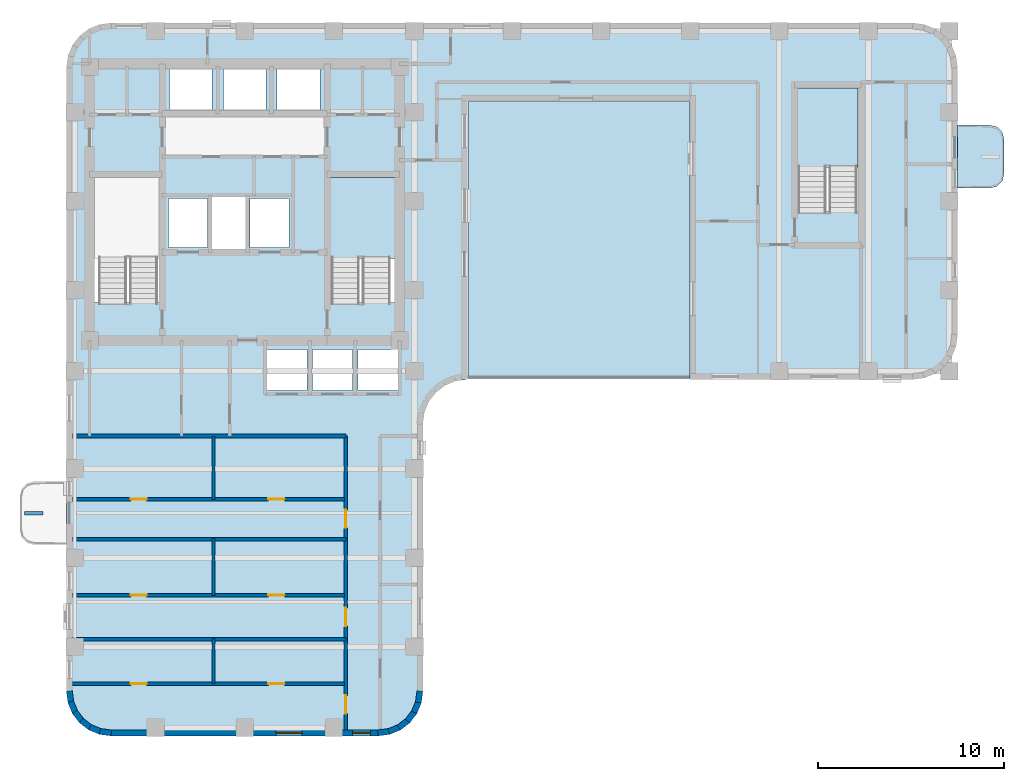
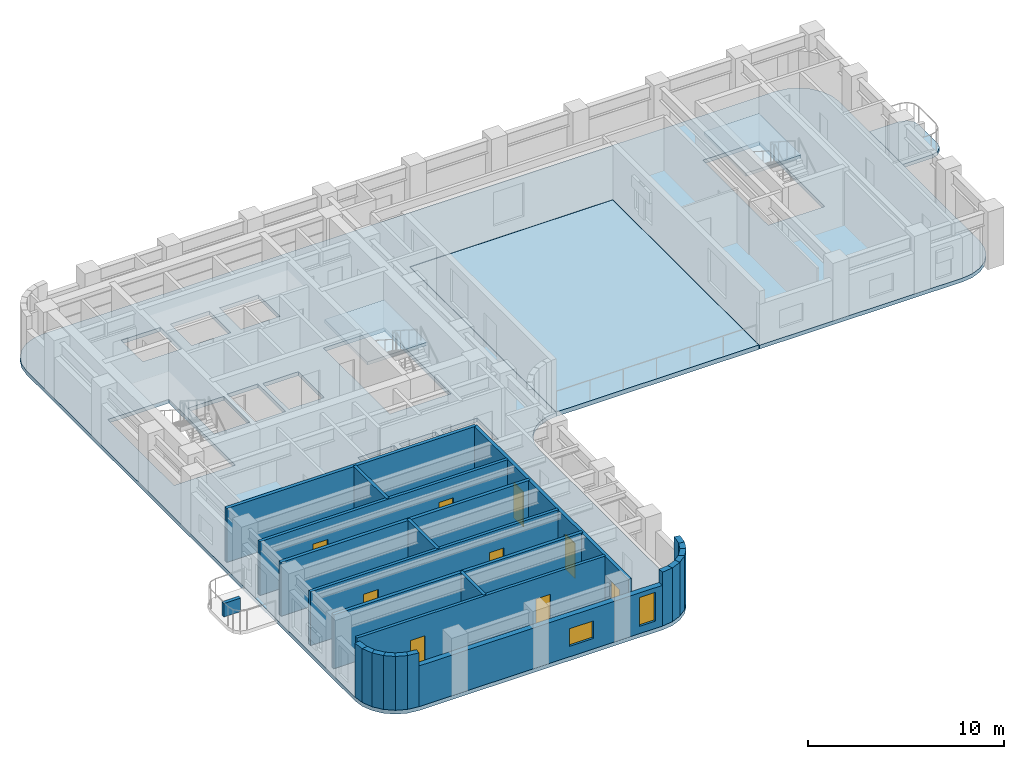
# One storey, part 2 of 9: 24 walls, 9 doors, 5 slabs, 2 windows, 11 openings, 2 elements without a shape of their own.
"""IFC4 building model written with IfcOpenShell, lengths in metres."""

from ifc_helpers import new_model, si_unit, direction, frame, frame_2d, origin, place, context, subcontext, project, spatial, polyline, rectangle, outline, extrude, material, layer, layer_set, type_object, element, fill, aggregate, save


model = new_model("IFC4")

# Units and contexts
model_context = context("Model", 3, precision=1e-05, world=origin(), true_north=direction((0.0, 1.0)))
body_context = subcontext(model_context, "Body", "Model", "MODEL_VIEW")
ifc_project = project(units=[si_unit("LENGTHUNIT", "METRE"), si_unit("AREAUNIT", "SQUARE_METRE"), si_unit("VOLUMEUNIT", "CUBIC_METRE"), si_unit("PLANEANGLEUNIT", "RADIAN"), si_unit("MASSUNIT", "GRAM", prefix="KILO")], contexts=[model_context])

# Site, building, storey
site_placement = place(None, origin())
site = spatial("IfcSite", under=ifc_project, at=site_placement, CompositionType="ELEMENT")
building_placement = place(site_placement, origin())
building = spatial("IfcBuilding", under=site, at=building_placement, Name="Orvandelia Arch Residences", CompositionType="ELEMENT")
storey_placement = place(building_placement, frame((0.0, 0.0, 154.0)))
storey = spatial("IfcBuildingStorey", under=building, at=storey_placement, Name="L40", CompositionType="ELEMENT", Elevation=154.0)

# Slab
ifc_material_1 = material(Name="Precast concrete C40/50", Category="concrete")
ifc_layer_1 = layer(ifc_material_1, 0.219970703125, Name="Precast concrete C40/50", Category="concrete")
ifc_layer_set_1 = layer_set([ifc_layer_1], Name="Precast concrete C40/50")
slab_type_1 = type_object("IfcSlabType", Name="SLB-BAL-220", PredefinedType="USERDEFINED", material=ifc_layer_set_1)
slab_1_placement = place(storey_placement, frame((0.0, 0.0, -0.219970703125)))
element("IfcSlab", 1, at=slab_1_placement, inside=storey, type_object=slab_type_1, Name="Tree Balcony Cantilever Slab BAL-L40-E1", ObjectType="BALCONY", PredefinedType="USERDEFINED", context=body_context, shape_type="SweptSolid", body=[
    extrude(outline(polyline([(52.800048828125, 42.5), (52.800048828125, 39.10009765625), (54.550048828125, 39.10009765625), (54.925048828125, 39.200439453125), (55.199462890625, 39.47509765625), (55.300048828125, 39.85009765625), (55.300048828125, 41.75), (55.199462890625, 42.125), (54.925048828125, 42.3994140625), (54.550048828125, 42.5), (52.800048828125, 42.5)])), origin(), (0.0, 0.0, 1.0), 0.219970703125),
])

# Stair, slab
ifc_material_2 = material(Name="Concrete C40/50", Category="concrete")
stair_type = type_object("IfcStairType", Name="STAIR-RC-DOGLEG", PredefinedType="HALF_TURN_STAIR", material=ifc_material_2)
stair_1_placement = place(storey_placement, origin())
stair_1 = element("IfcStair", 2, at=stair_1_placement, inside=storey, type_object=stair_type, Name="L40 Protected Exit Stair ST-2", PredefinedType="HALF_TURN_STAIR")
ifc_layer_2 = layer(ifc_material_2, 0.219970703125, Name="Concrete C40/50", Category="concrete")
ifc_layer_set_2 = layer_set([ifc_layer_2], Name="Concrete C40/50")
slab_type_2 = type_object("IfcSlabType", Name="SLB-LANDING-220", PredefinedType="LANDING", material=ifc_layer_set_2)
slab_2_placement = place(storey_placement, frame((0.0, 0.0, 1.60009765625)))
slab_2 = element("IfcSlab", 3, at=slab_2_placement, type_object=slab_type_2, Name="ST-2 landing 1", PredefinedType="LANDING", context=body_context, shape_type="SweptSolid", body=[
    extrude(outline(polyline([(22.5400390625, 35.31005859375), (22.5400390625, 39.68994140625), (19.0, 39.68994140625), (19.0, 35.31005859375), (22.5400390625, 35.31005859375)])), origin(), (0.0, 0.0, 1.0), 0.199951171875),
])
aggregate(stair_1, [slab_2])

stair_2_placement = place(storey_placement, origin())
stair_2 = element("IfcStair", 4, at=stair_2_placement, inside=storey, type_object=stair_type, Name="L40 East Wing Exit Stair ST-3", PredefinedType="HALF_TURN_STAIR")
slab_3_placement = place(storey_placement, frame((0.0, 0.0, 1.60009765625)))
slab_3 = element("IfcSlab", 5, at=slab_3_placement, type_object=slab_type_2, Name="ST-3 landing 1", PredefinedType="LANDING", context=body_context, shape_type="SweptSolid", body=[
    extrude(outline(polyline([(47.43994140625, 40.2099609375), (47.43994140625, 44.5), (44.179931640625, 44.5), (44.179931640625, 40.2099609375), (47.43994140625, 40.2099609375)])), origin(), (0.0, 0.0, 1.0), 0.199951171875),
])
aggregate(stair_2, [slab_3])

# Slabs
ifc_layer_3 = layer(ifc_material_2, 0.280029296875, Name="Concrete C40/50", Category="concrete")
ifc_layer_set_3 = layer_set([ifc_layer_3], Name="Concrete C40/50")
slab_type_3 = type_object("IfcSlabType", Name="SLB-TERR-280", PredefinedType="ROOF", material=ifc_layer_set_3)
slab_4_placement = place(storey_placement, frame((0.0, 0.0, -0.280029296875)))
element("IfcSlab", 6, at=slab_4_placement, inside=storey, type_object=slab_type_3, Name="Planted Sky Terrace Slab TERR-L40-PORTAL", PredefinedType="ROOF", context=body_context, shape_type="SweptSolid", body=[
    extrude(outline(polyline([(26.419921875, 28.840087890625), (38.3798828125, 28.840087890625), (38.3798828125, 43.780029296875), (26.419921875, 43.780029296875), (26.419921875, 28.840087890625)])), origin(), (0.0, 0.0, 1.0), 0.280029296875),
])
ifc_layer_4 = layer(ifc_material_2, 0.239990234375, Name="Concrete C40/50", Category="concrete")
ifc_layer_set_4 = layer_set([ifc_layer_4], Name="Concrete C40/50")
slab_type_4 = type_object("IfcSlabType", Name="SLB-TWR-240", PredefinedType="FLOOR", material=ifc_layer_set_4)
slab_5_placement = place(storey_placement, frame((0.0, 0.0, -0.239990234375)))
element("IfcSlab", 7, at=slab_5_placement, inside=storey, type_object=slab_type_4, Name="Structural Floor Slab L40-1", PredefinedType="FLOOR", context=body_context, shape_type="SweptSolid", body=[
    extrude(outline(polyline([(4.800048828125, 12.0), (4.8818359375, 11.37890625), (5.12158203125, 10.800048828125), (5.5029296875, 10.302978515625), (6.0, 9.92138671875), (6.578857421875, 9.681884765625), (7.199951171875, 9.60009765625), (21.60009765625, 9.60009765625), (22.22119140625, 9.681884765625), (22.800048828125, 9.92138671875), (23.297119140625, 10.302978515625), (23.678466796875, 10.800048828125), (23.918212890625, 11.37890625), (24.0, 12.0), (24.0, 26.39990234375), (24.081787109375, 27.021240234375), (24.321533203125, 27.60009765625), (24.702880859375, 28.09716796875), (25.199951171875, 28.478515625), (25.77880859375, 28.71826171875), (26.39990234375, 28.800048828125), (26.39990234375, 43.800048828125), (38.39990234375, 43.800048828125), (38.39990234375, 28.800048828125), (50.39990234375, 28.800048828125), (51.021240234375, 28.8818359375), (51.60009765625, 29.12158203125), (52.09716796875, 29.5029296875), (52.478515625, 30.0), (52.71826171875, 30.578857421875), (52.800048828125, 31.199951171875), (52.800048828125, 45.60009765625), (52.71826171875, 46.22119140625), (52.478515625, 46.800048828125), (52.09716796875, 47.297119140625), (51.60009765625, 47.678466796875), (51.021240234375, 47.918212890625), (50.39990234375, 48.0), (7.199951171875, 48.0), (6.578857421875, 47.918212890625), (6.0, 47.678466796875), (5.5029296875, 47.297119140625), (5.12158203125, 46.800048828125), (4.8818359375, 46.22119140625), (4.800048828125, 45.60009765625), (4.800048828125, 12.0)]), holes=[polyline([(6.219970703125, 32.949951171875), (9.840087890625, 32.949951171875), (9.840087890625, 39.72998046875), (6.219970703125, 39.72998046875), (6.219970703125, 32.949951171875)]), polyline([(18.9599609375, 32.949951171875), (22.580078125, 32.949951171875), (22.580078125, 39.72998046875), (18.9599609375, 39.72998046875), (18.9599609375, 32.949951171875)]), polyline([(44.139892578125, 37.85009765625), (47.47998046875, 37.85009765625), (47.47998046875, 44.5400390625), (44.139892578125, 44.5400390625), (44.139892578125, 37.85009765625)]), polyline([(12.639892578125, 35.81005859375), (14.4599609375, 35.81005859375), (14.4599609375, 38.639892578125), (12.639892578125, 38.639892578125), (12.639892578125, 35.81005859375)]), polyline([(10.300048828125, 35.89990234375), (12.39990234375, 35.89990234375), (12.39990234375, 38.550048828125), (10.300048828125, 38.550048828125), (10.300048828125, 35.89990234375)]), polyline([(14.699951171875, 35.89990234375), (16.800048828125, 35.89990234375), (16.800048828125, 38.550048828125), (14.699951171875, 38.550048828125), (14.699951171875, 35.89990234375)]), polyline([(10.35009765625, 43.300048828125), (12.64990234375, 43.300048828125), (12.64990234375, 45.5), (10.35009765625, 45.5), (10.35009765625, 43.300048828125)]), polyline([(13.25, 43.300048828125), (15.550048828125, 43.300048828125), (15.550048828125, 45.5), (13.25, 45.5), (13.25, 43.300048828125)]), polyline([(16.14990234375, 43.300048828125), (18.449951171875, 43.300048828125), (18.449951171875, 45.5), (16.14990234375, 45.5), (16.14990234375, 43.300048828125)]), polyline([(15.60009765625, 28.199951171875), (17.75, 28.199951171875), (17.75, 30.39990234375), (15.60009765625, 30.39990234375), (15.60009765625, 28.199951171875)]), polyline([(18.050048828125, 28.199951171875), (20.199951171875, 28.199951171875), (20.199951171875, 30.39990234375), (18.050048828125, 30.39990234375), (18.050048828125, 28.199951171875)]), polyline([(20.5, 28.199951171875), (22.64990234375, 28.199951171875), (22.64990234375, 30.39990234375), (20.5, 30.39990234375), (20.5, 28.199951171875)])]), origin(), (0.0, 0.0, 1.0), 0.239990234375),
])

# Wall, openings, doors
ifc_material_3 = material(Name="Fire-Rated Corridor Partition")
ifc_layer_5 = layer(ifc_material_3, 0.199951171875, Name="Fire-Rated Corridor Partition")
ifc_layer_set_5 = layer_set([ifc_layer_5], Name="Fire-Rated Corridor Partition")
wall_type_1 = type_object("IfcWallType", Name="WL-CORR-200", PredefinedType="PARTITIONING", material=ifc_layer_set_5)
wall_1_placement = place(storey_placement, frame((19.85009765625, 9.919921875, 0.0), z_axis=(0.0, 0.0, 1.0), x_axis=(0.0, 1.0, 0.0)))
wall_1 = element("IfcWall", 8, at=wall_1_placement, inside=storey, type_object=wall_type_1, Name="Interior Partition Wall WL-L40-WC-W", PredefinedType="PARTITIONING", context=body_context, shape_type="SweptSolid", body=[
    extrude(rectangle(XDim=15.830078125, YDim=0.199951171875, at=frame_2d((7.9150390625, 0.0))), origin(), (0.0, 0.0, 1.0), 3.360107421875),
])
opening_1_placement = place(wall_1_placement, frame((0.885009765625, 0.0, 0.0)))
opening_1 = element("IfcOpeningElement", 9, at=opening_1_placement, cuts=wall_1, Name="Opening D1", PredefinedType="OPENING", context=body_context, shape_type="SweptSolid", body=[
    extrude(rectangle(XDim=0.97998046875, YDim=2.179931640625, at=frame_2d((0.489990234375, 1.08984375))), frame((0.0, 0.10986328125, 0.0), z_axis=(0.0, -1.0, 0.0), x_axis=(1.0, 0.0, 0.0)), (0.0, 0.0, 1.0), 0.219970703125),
])
opening_2_placement = place(wall_1_placement, frame((5.597900390625, 0.0, 0.0)))
opening_2 = element("IfcOpeningElement", 10, at=opening_2_placement, cuts=wall_1, Name="Opening D1", PredefinedType="OPENING", context=body_context, shape_type="SweptSolid", body=[
    extrude(rectangle(XDim=0.97998046875, YDim=2.179931640625, at=frame_2d((0.489990234375, 1.08984375))), frame((0.0, 0.10986328125, 0.0), z_axis=(0.0, -1.0, 0.0), x_axis=(1.0, 0.0, 0.0)), (0.0, 0.0, 1.0), 0.219970703125),
])
opening_3_placement = place(wall_1_placement, frame((10.8798828125, 0.0, 0.0)))
opening_3 = element("IfcOpeningElement", 11, at=opening_3_placement, cuts=wall_1, Name="Opening D1", PredefinedType="OPENING", context=body_context, shape_type="SweptSolid", body=[
    extrude(rectangle(XDim=0.97998046875, YDim=2.179931640625, at=frame_2d((0.489990234375, 1.08984375))), frame((0.0, 0.10986328125, 0.0), z_axis=(0.0, -1.0, 0.0), x_axis=(1.0, 0.0, 0.0)), (0.0, 0.0, 1.0), 0.219970703125),
])
ifc_material_4 = material(Name="Solid-Core Timber Acoustic Fire Door", Category="wood")
door_type_1 = type_object("IfcDoorType", Name="DR-ENT-980", OperationType="NOTDEFINED", PredefinedType="DOOR", material=ifc_material_4)
door_1_placement = place(opening_1_placement, origin())
door_1 = element("IfcDoor", 12, at=door_1_placement, inside=storey, type_object=door_type_1, Name="Unit L40-01 Entrance Door", OperationType="SINGLE_SWING_LEFT", OverallHeight=2.179931640625, OverallWidth=0.97998046875, PredefinedType="DOOR", context=body_context, shape_type="SweptSolid", body=[
    extrude(rectangle(XDim=0.97998046875, YDim=2.179931640625, at=frame_2d((0.489990234375, 1.08984375))), frame((0.0, 0.02490234375, 0.0), z_axis=(0.0, -1.0, 0.0), x_axis=(1.0, 0.0, 0.0)), (0.0, 0.0, 1.0), 0.050048828125),
])
fill(opening_1, door_1)
door_2_placement = place(opening_2_placement, origin())
door_2 = element("IfcDoor", 13, at=door_2_placement, inside=storey, type_object=door_type_1, Name="Unit L40-02 Entrance Door", OperationType="SINGLE_SWING_RIGHT", OverallHeight=2.179931640625, OverallWidth=0.97998046875, PredefinedType="DOOR", context=body_context, shape_type="SweptSolid", body=[
    extrude(rectangle(XDim=0.97998046875, YDim=2.179931640625, at=frame_2d((0.489990234375, 1.08984375))), frame((0.0, 0.02490234375, 0.0), z_axis=(0.0, -1.0, 0.0), x_axis=(1.0, 0.0, 0.0)), (0.0, 0.0, 1.0), 0.050048828125),
])
fill(opening_2, door_2)
door_3_placement = place(opening_3_placement, origin())
door_3 = element("IfcDoor", 14, at=door_3_placement, inside=storey, type_object=door_type_1, Name="Unit L40-03 Entrance Door", OperationType="SINGLE_SWING_LEFT", OverallHeight=2.179931640625, OverallWidth=0.97998046875, PredefinedType="DOOR", context=body_context, shape_type="SweptSolid", body=[
    extrude(rectangle(XDim=0.97998046875, YDim=2.179931640625, at=frame_2d((0.489990234375, 1.08984375))), frame((0.0, 0.02490234375, 0.0), z_axis=(0.0, -1.0, 0.0), x_axis=(1.0, 0.0, 0.0)), (0.0, 0.0, 1.0), 0.050048828125),
])
fill(opening_3, door_3)

# Walls
wall_2_placement = place(storey_placement, frame((5.1201171875, 25.75, 0.0), z_axis=(0.0, 0.0, 1.0), x_axis=(1.0, 0.0, 0.0)))
element("IfcWall", 15, at=wall_2_placement, inside=storey, type_object=wall_type_1, Name="Interior Partition Wall WL-L40-WCLS-W", PredefinedType="PARTITIONING", context=body_context, shape_type="SweptSolid", body=[
    extrude(rectangle(XDim=14.72998046875, YDim=0.199951171875, at=frame_2d((7.364990234375, 0.0))), origin(), (0.0, 0.0, 1.0), 3.360107421875),
])
ifc_layer_6 = layer(ifc_material_2, 0.199951171875, Name="Concrete C40/50", Category="concrete")
ifc_layer_set_6 = layer_set([ifc_layer_6], Name="Concrete C40/50")
wall_type_2 = type_object("IfcWallType", Name="WL-DEM-200", PredefinedType="SOLIDWALL", material=ifc_layer_set_6)
for number, where, z_axis, x_axis, name in (
    (16, (5.1201171875, 14.800048828125, 0.0), (0.0, 0.0, 1.0), (1.0, 0.0, 0.0), "Interior Partition Wall WL-L40-DEM-WL-148"),
    (17, (5.1201171875, 20.199951171875, 0.0), (0.0, 0.0, 1.0), (1.0, 0.0, 0.0), "Interior Partition Wall WL-L40-DEM-WL-202"),
):
    element("IfcWall", number, at=place(storey_placement, frame(where, z_axis=z_axis, x_axis=x_axis)), inside=storey, type_object=wall_type_2, Name=name, PredefinedType="SOLIDWALL", context=body_context, shape_type="SweptSolid", body=[
        extrude(rectangle(XDim=14.72998046875, YDim=0.199951171875, at=frame_2d((7.364990234375, 0.0))), origin(), (0.0, 0.0, 1.0), 3.360107421875),
    ])
ifc_layer_7 = layer(ifc_material_1, 0.320068359375, Name="Precast concrete C40/50", Category="concrete")
ifc_layer_set_7 = layer_set([ifc_layer_7], Name="Precast concrete C40/50")
wall_type_3 = type_object("IfcWallType", Name="WL-EXT-STONE-320", PredefinedType="STANDARD", material=ifc_layer_set_7)
wall_3_placement = place(storey_placement, frame((23.84130859375, 12.02099609375, 0.0), z_axis=(0.0, 0.0, 1.0), x_axis=(-0.130504898859, -0.991447664465, 0.0)))
element("IfcWall", 18, at=wall_3_placement, inside=storey, type_object=wall_type_3, Name="Coral-Limestone Precast Facade Wall L40-032", PredefinedType="STANDARD", context=body_context, shape_type="SweptSolid", body=[
    extrude(rectangle(XDim=0.626708984375, YDim=0.320068359375, at=frame_2d((0.3134765625, 0.0))), origin(), (0.0, 0.0, 1.0), 3.360107421875),
])
for number, where, z_axis, x_axis, name in (
    (19, (23.7705078125, 11.43994140625, 0.0), (0.0, 0.0, 1.0), (-0.382650053678, -0.92389335771, 0.0), "Coral-Limestone Precast Facade Wall L40-033"),
    (20, (23.551513671875, 10.8974609375, 0.0), (0.0, 0.0, 1.0), (-0.608693302629, -0.793405610854, 0.0), "Coral-Limestone Precast Facade Wall L40-034"),
    (21, (23.19970703125, 10.4296875, 0.0), (0.0, 0.0, 1.0), (-0.793405610854, -0.608693302629, 0.0), "Coral-Limestone Precast Facade Wall L40-035"),
    (22, (22.73876953125, 10.0693359375, 0.0), (0.0, 0.0, 1.0), (-0.92389335771, -0.382650053678, 0.0), "Coral-Limestone Precast Facade Wall L40-036"),
    (23, (22.2001953125, 9.84033203125, 0.0), (0.0, 0.0, 1.0), (-0.9914410257, -0.130555323746, 0.0), "Coral-Limestone Precast Facade Wall L40-037"),
):
    element("IfcWall", number, at=place(storey_placement, frame(where, z_axis=z_axis, x_axis=x_axis)), inside=storey, type_object=wall_type_3, Name=name, PredefinedType="STANDARD", context=body_context, shape_type="SweptSolid", body=[
        extrude(rectangle(XDim=0.62646484375, YDim=0.320068359375, at=frame_2d((0.313232421875, 0.0))), origin(), (0.0, 0.0, 1.0), 3.360107421875),
    ])

# Wall, openings, windows
wall_4_placement = place(storey_placement, frame((21.60009765625, 9.760009765625, 0.0), z_axis=(0.0, 0.0, 1.0), x_axis=(-1.0, 0.0, 0.0)))
wall_4 = element("IfcWall", 24, at=wall_4_placement, inside=storey, type_object=wall_type_3, Name="Coral-Limestone Precast Facade Wall L40-038", PredefinedType="STANDARD", context=body_context, shape_type="SweptSolid", body=[
    extrude(rectangle(XDim=14.400146484375, YDim=0.320068359375, at=frame_2d((7.2001953125, 0.0))), origin(), (0.0, 0.0, 1.0), 2.5400390625),
])
opening_4_placement = place(wall_4_placement, frame((4.10009765625, 0.0, 0.64990234375)))
opening_4 = element("IfcOpeningElement", 25, at=opening_4_placement, cuts=wall_4, Name="Opening W10", PredefinedType="OPENING", context=body_context, shape_type="SweptSolid", body=[
    extrude(rectangle(XDim=1.39990234375, YDim=1.10009765625, at=frame_2d((0.699951171875, 0.550048828125))), frame((0.0, 0.169921875, 0.0), z_axis=(0.0, -1.0, 0.0), x_axis=(1.0, 0.0, 0.0)), (0.0, 0.0, 1.0), 0.340087890625),
])
opening_5_placement = place(wall_4_placement, frame((0.429931640625, 0.0, 0.449951171875)))
opening_5 = element("IfcOpeningElement", 26, at=opening_5_placement, cuts=wall_4, Name="Opening W4", PredefinedType="OPENING", context=body_context, shape_type="SweptSolid", body=[
    extrude(rectangle(XDim=0.949951171875, YDim=1.800048828125, at=frame_2d((0.47509765625, 0.89990234375))), frame((0.0, 0.169921875, 0.0), z_axis=(0.0, -1.0, 0.0), x_axis=(1.0, 0.0, 0.0)), (0.0, 0.0, 1.0), 0.340087890625),
])
ifc_material_5 = material(Name="Tempered Low-E Insulated Glazing", Category="glass")
window_type_1 = type_object("IfcWindowType", Name="WIN-CLR-1400x1100", PartitioningType="SINGLE_PANEL", PredefinedType="WINDOW", material=ifc_material_5)
window_1_placement = place(opening_4_placement, origin())
window_1 = element("IfcWindow", 27, at=window_1_placement, inside=storey, type_object=window_type_1, Name="Recessed Punched Window L40-016", OverallHeight=1.10009765625, OverallWidth=1.39990234375, PartitioningType="SINGLE_PANEL", PredefinedType="WINDOW", context=body_context, shape_type="SweptSolid", body=[
    extrude(rectangle(XDim=1.39990234375, YDim=1.10009765625, at=frame_2d((0.699951171875, 0.550048828125))), frame((0.0, 0.030029296875, 0.0), z_axis=(0.0, -1.0, 0.0), x_axis=(1.0, 0.0, 0.0)), (0.0, 0.0, 1.0), 0.06005859375),
])
fill(opening_4, window_1)
window_type_2 = type_object("IfcWindowType", Name="WIN-RES-0950x1800", PartitioningType="SINGLE_PANEL", PredefinedType="WINDOW", material=ifc_material_5)
window_2_placement = place(opening_5_placement, origin())
window_2 = element("IfcWindow", 28, at=window_2_placement, inside=storey, type_object=window_type_2, Name="Recessed Punched Window L40-017", OverallHeight=1.800048828125, OverallWidth=0.949951171875, PartitioningType="SINGLE_PANEL", PredefinedType="WINDOW", context=body_context, shape_type="SweptSolid", body=[
    extrude(rectangle(XDim=0.949951171875, YDim=1.800048828125, at=frame_2d((0.47509765625, 0.89990234375))), frame((0.0, 0.030029296875, 0.0), z_axis=(0.0, -1.0, 0.0), x_axis=(1.0, 0.0, 0.0)), (0.0, 0.0, 1.0), 0.06005859375),
])
fill(opening_5, window_2)

# Walls
wall_5_placement = place(storey_placement, frame((7.220947265625, 9.758544921875, 0.0), z_axis=(0.0, 0.0, 1.0), x_axis=(-0.991447664465, 0.130504898859, 0.0)))
element("IfcWall", 29, at=wall_5_placement, inside=storey, type_object=wall_type_3, Name="Coral-Limestone Precast Facade Wall L40-039", PredefinedType="STANDARD", context=body_context, shape_type="SweptSolid", body=[
    extrude(rectangle(XDim=0.626708984375, YDim=0.320068359375, at=frame_2d((0.3134765625, 0.0))), origin(), (0.0, 0.0, 1.0), 3.360107421875),
])
wall_6_placement = place(storey_placement, frame((6.639892578125, 9.82958984375, 0.0), z_axis=(0.0, 0.0, 1.0), x_axis=(-0.923836271867, 0.382787856107, 0.0)))
element("IfcWall", 30, at=wall_6_placement, inside=storey, type_object=wall_type_3, Name="Coral-Limestone Precast Facade Wall L40-040", PredefinedType="STANDARD", context=body_context, shape_type="SweptSolid", body=[
    extrude(rectangle(XDim=0.626220703125, YDim=0.320068359375, at=frame_2d((0.31298828125, 0.0))), origin(), (0.0, 0.0, 1.0), 3.360107421875),
])
wall_7_placement = place(storey_placement, frame((6.097412109375, 10.04833984375, 0.0), z_axis=(0.0, 0.0, 1.0), x_axis=(-0.793405610854, 0.608693302629, 0.0)))
element("IfcWall", 31, at=wall_7_placement, inside=storey, type_object=wall_type_3, Name="Coral-Limestone Precast Facade Wall L40-041", PredefinedType="STANDARD", context=body_context, shape_type="SweptSolid", body=[
    extrude(rectangle(XDim=0.62646484375, YDim=0.320068359375, at=frame_2d((0.313232421875, 0.0))), origin(), (0.0, 0.0, 1.0), 3.360107421875),
])
wall_8_placement = place(storey_placement, frame((5.6298828125, 10.400390625, 0.0), z_axis=(0.0, 0.0, 1.0), x_axis=(-0.608938521285, 0.7932174212, 0.0)))
element("IfcWall", 32, at=wall_8_placement, inside=storey, type_object=wall_type_3, Name="Coral-Limestone Precast Facade Wall L40-042", PredefinedType="STANDARD", context=body_context, shape_type="SweptSolid", body=[
    extrude(rectangle(XDim=0.626708984375, YDim=0.320068359375, at=frame_2d((0.3134765625, 0.0))), origin(), (0.0, 0.0, 1.0), 3.360107421875),
])
wall_9_placement = place(storey_placement, frame((5.269287109375, 10.861083984375, 0.0), z_axis=(0.0, 0.0, 1.0), x_axis=(-0.382650053678, 0.92389335771, 0.0)))
element("IfcWall", 33, at=wall_9_placement, inside=storey, type_object=wall_type_3, Name="Coral-Limestone Precast Facade Wall L40-043", PredefinedType="STANDARD", context=body_context, shape_type="SweptSolid", body=[
    extrude(rectangle(XDim=0.62646484375, YDim=0.320068359375, at=frame_2d((0.313232421875, 0.0))), origin(), (0.0, 0.0, 1.0), 3.360107421875),
])
wall_10_placement = place(storey_placement, frame((5.040283203125, 11.399658203125, 0.0), z_axis=(0.0, 0.0, 1.0), x_axis=(-0.130504898859, 0.991447664465, 0.0)))
element("IfcWall", 34, at=wall_10_placement, inside=storey, type_object=wall_type_3, Name="Coral-Limestone Precast Facade Wall L40-044", PredefinedType="STANDARD", context=body_context, shape_type="SweptSolid", body=[
    extrude(rectangle(XDim=0.626708984375, YDim=0.320068359375, at=frame_2d((0.3134765625, 0.0))), origin(), (0.0, 0.0, 1.0), 3.360107421875),
])
ifc_layer_8 = layer(ifc_material_1, 0.199951171875, Name="Precast concrete C40/50", Category="concrete")
ifc_layer_set_8 = layer_set([ifc_layer_8], Name="Precast concrete C40/50")
wall_type_4 = type_object("IfcWallType", Name="WL-PLANTER-200", PredefinedType="MOVABLE", material=ifc_layer_set_8)
wall_11_placement = place(storey_placement, frame((2.550048828125, 21.60009765625, 0.0), z_axis=(0.0, 0.0, 1.0), x_axis=(1.0, 0.0, 0.0)))
element("IfcWall", 35, at=wall_11_placement, inside=storey, type_object=wall_type_4, Name="Balcony Precast Tree Planter BAL-L40-W1", PredefinedType="MOVABLE", context=body_context, shape_type="SweptSolid", body=[
    extrude(rectangle(XDim=1.0, YDim=0.199951171875, at=frame_2d((0.5, 0.0))), origin(), (0.0, 0.0, 1.0), 0.85009765625),
])

# Wall, openings, doors
ifc_material_6 = material(Name="Moisture-Resistant Plumbing Wall")
ifc_layer_9 = layer(ifc_material_6, 0.179931640625, Name="Moisture-Resistant Plumbing Wall")
ifc_layer_set_9 = layer_set([ifc_layer_9], Name="Moisture-Resistant Plumbing Wall")
wall_type_5 = type_object("IfcWallType", Name="WL-WET-180", PredefinedType="PLUMBINGWALL", material=ifc_layer_set_9)
wall_12_placement = place(storey_placement, frame((5.1201171875, 12.409912109375, 0.0), z_axis=(0.0, 0.0, 1.0), x_axis=(1.0, 0.0, 0.0)))
wall_12 = element("IfcWall", 36, at=wall_12_placement, inside=storey, type_object=wall_type_5, Name="Interior Partition Wall WL-L40-U01-HZ", PredefinedType="PLUMBINGWALL", context=body_context, shape_type="SweptSolid", body=[
    extrude(rectangle(XDim=14.669921875, YDim=0.179931640625, at=frame_2d((7.3349609375, 0.0))), origin(), (0.0, 0.0, 1.0), 3.360107421875),
])
opening_6_placement = place(wall_12_placement, frame((3.14501953125, 0.0, 0.0)))
opening_6 = element("IfcOpeningElement", 37, at=opening_6_placement, cuts=wall_12, Name="Opening D4", PredefinedType="OPENING", context=body_context, shape_type="SweptSolid", body=[
    extrude(rectangle(XDim=0.860107421875, YDim=2.10009765625, at=frame_2d((0.43017578125, 1.050048828125))), frame((0.0, 0.10009765625, 0.0), z_axis=(0.0, -1.0, 0.0), x_axis=(1.0, 0.0, 0.0)), (0.0, 0.0, 1.0), 0.199951171875),
])
opening_7_placement = place(wall_12_placement, frame((10.56005859375, 0.0, 0.0)))
opening_7 = element("IfcOpeningElement", 38, at=opening_7_placement, cuts=wall_12, Name="Opening D4", PredefinedType="OPENING", context=body_context, shape_type="SweptSolid", body=[
    extrude(rectangle(XDim=0.860107421875, YDim=2.10009765625, at=frame_2d((0.43017578125, 1.050048828125))), frame((0.0, 0.10009765625, 0.0), z_axis=(0.0, -1.0, 0.0), x_axis=(1.0, 0.0, 0.0)), (0.0, 0.0, 1.0), 0.199951171875),
])
ifc_material_7 = material(Name="Moisture-Sealed Timber Bathroom Door", Category="wood")
door_type_2 = type_object("IfcDoorType", Name="DR-WET-900", OperationType="NOTDEFINED", PredefinedType="DOOR", material=ifc_material_7)
door_4_placement = place(opening_6_placement, origin())
door_4 = element("IfcDoor", 39, at=door_4_placement, inside=storey, type_object=door_type_2, Name="DR-L40-U01-KIT", OperationType="SINGLE_SWING_LEFT", OverallHeight=2.10009765625, OverallWidth=0.860107421875, PredefinedType="DOOR", context=body_context, shape_type="SweptSolid", body=[
    extrude(rectangle(XDim=0.860107421875, YDim=2.10009765625, at=frame_2d((0.43017578125, 1.050048828125))), frame((0.0, 0.02490234375, 0.0), z_axis=(0.0, -1.0, 0.0), x_axis=(1.0, 0.0, 0.0)), (0.0, 0.0, 1.0), 0.050048828125),
])
fill(opening_6, door_4)
door_5_placement = place(opening_7_placement, origin())
door_5 = element("IfcDoor", 40, at=door_5_placement, inside=storey, type_object=door_type_2, Name="DR-L40-U01-BTH", OperationType="SINGLE_SWING_RIGHT", OverallHeight=2.10009765625, OverallWidth=0.860107421875, PredefinedType="DOOR", context=body_context, shape_type="SweptSolid", body=[
    extrude(rectangle(XDim=0.860107421875, YDim=2.10009765625, at=frame_2d((0.43017578125, 1.050048828125))), frame((0.0, 0.02490234375, 0.0), z_axis=(0.0, -1.0, 0.0), x_axis=(1.0, 0.0, 0.0)), (0.0, 0.0, 1.0), 0.050048828125),
])
fill(opening_7, door_5)

# Wall
wall_13_placement = place(storey_placement, frame((12.719970703125, 12.409912109375, 0.0), z_axis=(0.0, 0.0, 1.0), x_axis=(0.0, 1.0, 0.0)))
element("IfcWall", 41, at=wall_13_placement, inside=storey, type_object=wall_type_5, Name="Interior Partition Wall WL-L40-U01-V1", PredefinedType="PLUMBINGWALL", context=body_context, shape_type="SweptSolid", body=[
    extrude(rectangle(XDim=2.43017578125, YDim=0.179931640625, at=frame_2d((1.215087890625, 0.0))), origin(), (0.0, 0.0, 1.0), 3.360107421875),
])

# Wall, openings, doors
wall_14_placement = place(storey_placement, frame((5.1201171875, 17.176025390625, 0.0), z_axis=(0.0, 0.0, 1.0), x_axis=(1.0, 0.0, 0.0)))
wall_14 = element("IfcWall", 42, at=wall_14_placement, inside=storey, type_object=wall_type_5, Name="Interior Partition Wall WL-L40-U02-HZ", PredefinedType="PLUMBINGWALL", context=body_context, shape_type="SweptSolid", body=[
    extrude(rectangle(XDim=14.669921875, YDim=0.179931640625, at=frame_2d((7.3349609375, 0.0))), origin(), (0.0, 0.0, 1.0), 3.360107421875),
])
opening_8_placement = place(wall_14_placement, frame((3.14501953125, 0.0, 0.0)))
opening_8 = element("IfcOpeningElement", 43, at=opening_8_placement, cuts=wall_14, Name="Opening D4", PredefinedType="OPENING", context=body_context, shape_type="SweptSolid", body=[
    extrude(rectangle(XDim=0.860107421875, YDim=2.10009765625, at=frame_2d((0.43017578125, 1.050048828125))), frame((0.0, 0.10009765625, 0.0), z_axis=(0.0, -1.0, 0.0), x_axis=(1.0, 0.0, 0.0)), (0.0, 0.0, 1.0), 0.199951171875),
])
opening_9_placement = place(wall_14_placement, frame((10.56005859375, 0.0, 0.0)))
opening_9 = element("IfcOpeningElement", 44, at=opening_9_placement, cuts=wall_14, Name="Opening D4", PredefinedType="OPENING", context=body_context, shape_type="SweptSolid", body=[
    extrude(rectangle(XDim=0.860107421875, YDim=2.10009765625, at=frame_2d((0.43017578125, 1.050048828125))), frame((0.0, 0.10009765625, 0.0), z_axis=(0.0, -1.0, 0.0), x_axis=(1.0, 0.0, 0.0)), (0.0, 0.0, 1.0), 0.199951171875),
])
door_6_placement = place(opening_8_placement, origin())
door_6 = element("IfcDoor", 45, at=door_6_placement, inside=storey, type_object=door_type_2, Name="DR-L40-U02-KIT", OperationType="SINGLE_SWING_RIGHT", OverallHeight=2.10009765625, OverallWidth=0.860107421875, PredefinedType="DOOR", context=body_context, shape_type="SweptSolid", body=[
    extrude(rectangle(XDim=0.860107421875, YDim=2.10009765625, at=frame_2d((0.43017578125, 1.050048828125))), frame((0.0, 0.02490234375, 0.0), z_axis=(0.0, -1.0, 0.0), x_axis=(1.0, 0.0, 0.0)), (0.0, 0.0, 1.0), 0.050048828125),
])
fill(opening_8, door_6)
door_7_placement = place(opening_9_placement, origin())
door_7 = element("IfcDoor", 46, at=door_7_placement, inside=storey, type_object=door_type_2, Name="DR-L40-U02-BTH", OperationType="SINGLE_SWING_LEFT", OverallHeight=2.10009765625, OverallWidth=0.860107421875, PredefinedType="DOOR", context=body_context, shape_type="SweptSolid", body=[
    extrude(rectangle(XDim=0.860107421875, YDim=2.10009765625, at=frame_2d((0.43017578125, 1.050048828125))), frame((0.0, 0.02490234375, 0.0), z_axis=(0.0, -1.0, 0.0), x_axis=(1.0, 0.0, 0.0)), (0.0, 0.0, 1.0), 0.050048828125),
])
fill(opening_9, door_7)

# Wall
wall_15_placement = place(storey_placement, frame((12.719970703125, 17.176025390625, 0.0), z_axis=(0.0, 0.0, 1.0), x_axis=(0.0, 1.0, 0.0)))
element("IfcWall", 47, at=wall_15_placement, inside=storey, type_object=wall_type_5, Name="Interior Partition Wall WL-L40-U02-V1", PredefinedType="PLUMBINGWALL", context=body_context, shape_type="SweptSolid", body=[
    extrude(rectangle(XDim=3.06396484375, YDim=0.179931640625, at=frame_2d((1.531982421875, 0.0))), origin(), (0.0, 0.0, 1.0), 3.360107421875),
])

# Wall, openings, doors
wall_16_placement = place(storey_placement, frame((5.1201171875, 22.340087890625, 0.0), z_axis=(0.0, 0.0, 1.0), x_axis=(1.0, 0.0, 0.0)))
wall_16 = element("IfcWall", 48, at=wall_16_placement, inside=storey, type_object=wall_type_5, Name="Interior Partition Wall WL-L40-U03-HZ", PredefinedType="PLUMBINGWALL", context=body_context, shape_type="SweptSolid", body=[
    extrude(rectangle(XDim=14.669921875, YDim=0.179931640625, at=frame_2d((7.3349609375, 0.0))), origin(), (0.0, 0.0, 1.0), 3.360107421875),
])
opening_10_placement = place(wall_16_placement, frame((3.14501953125, 0.0, 0.0)))
opening_10 = element("IfcOpeningElement", 49, at=opening_10_placement, cuts=wall_16, Name="Opening D4", PredefinedType="OPENING", context=body_context, shape_type="SweptSolid", body=[
    extrude(rectangle(XDim=0.860107421875, YDim=2.10009765625, at=frame_2d((0.43017578125, 1.050048828125))), frame((0.0, 0.10009765625, 0.0), z_axis=(0.0, -1.0, 0.0), x_axis=(1.0, 0.0, 0.0)), (0.0, 0.0, 1.0), 0.199951171875),
])
opening_11_placement = place(wall_16_placement, frame((10.56005859375, 0.0, 0.0)))
opening_11 = element("IfcOpeningElement", 50, at=opening_11_placement, cuts=wall_16, Name="Opening D4", PredefinedType="OPENING", context=body_context, shape_type="SweptSolid", body=[
    extrude(rectangle(XDim=0.860107421875, YDim=2.10009765625, at=frame_2d((0.43017578125, 1.050048828125))), frame((0.0, 0.10009765625, 0.0), z_axis=(0.0, -1.0, 0.0), x_axis=(1.0, 0.0, 0.0)), (0.0, 0.0, 1.0), 0.199951171875),
])
door_8_placement = place(opening_10_placement, origin())
door_8 = element("IfcDoor", 51, at=door_8_placement, inside=storey, type_object=door_type_2, Name="DR-L40-U03-KIT", OperationType="SINGLE_SWING_LEFT", OverallHeight=2.10009765625, OverallWidth=0.860107421875, PredefinedType="DOOR", context=body_context, shape_type="SweptSolid", body=[
    extrude(rectangle(XDim=0.860107421875, YDim=2.10009765625, at=frame_2d((0.43017578125, 1.050048828125))), frame((0.0, 0.02490234375, 0.0), z_axis=(0.0, -1.0, 0.0), x_axis=(1.0, 0.0, 0.0)), (0.0, 0.0, 1.0), 0.050048828125),
])
fill(opening_10, door_8)
door_9_placement = place(opening_11_placement, origin())
door_9 = element("IfcDoor", 52, at=door_9_placement, inside=storey, type_object=door_type_2, Name="DR-L40-U03-BTH", OperationType="SINGLE_SWING_RIGHT", OverallHeight=2.10009765625, OverallWidth=0.860107421875, PredefinedType="DOOR", context=body_context, shape_type="SweptSolid", body=[
    extrude(rectangle(XDim=0.860107421875, YDim=2.10009765625, at=frame_2d((0.43017578125, 1.050048828125))), frame((0.0, 0.02490234375, 0.0), z_axis=(0.0, -1.0, 0.0), x_axis=(1.0, 0.0, 0.0)), (0.0, 0.0, 1.0), 0.050048828125),
])
fill(opening_11, door_9)

# Wall
wall_17_placement = place(storey_placement, frame((12.719970703125, 22.340087890625, 0.0), z_axis=(0.0, 0.0, 1.0), x_axis=(0.0, 1.0, 0.0)))
element("IfcWall", 53, at=wall_17_placement, inside=storey, type_object=wall_type_5, Name="Interior Partition Wall WL-L40-U03-V1", PredefinedType="PLUMBINGWALL", context=body_context, shape_type="SweptSolid", body=[
    extrude(rectangle(XDim=3.3798828125, YDim=0.179931640625, at=frame_2d((1.68994140625, 0.0))), origin(), (0.0, 0.0, 1.0), 3.360107421875),
])

save(model, "model.ifc")
